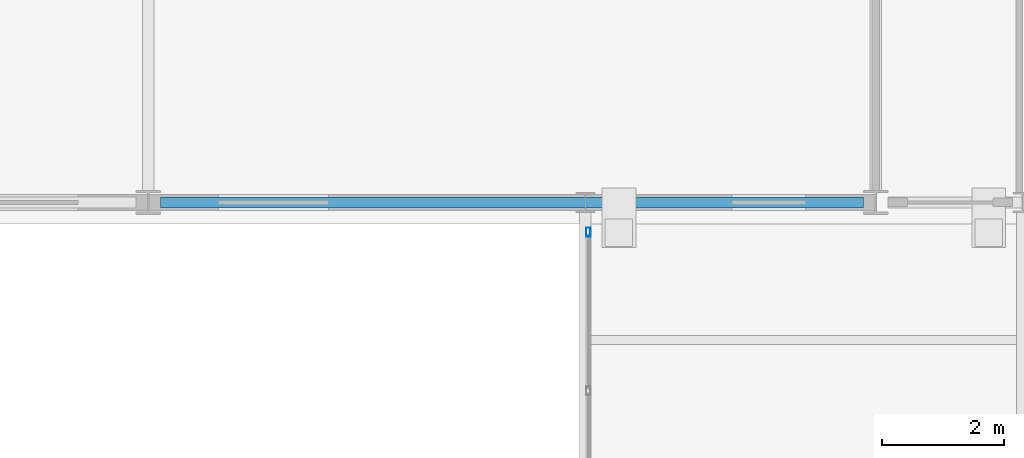
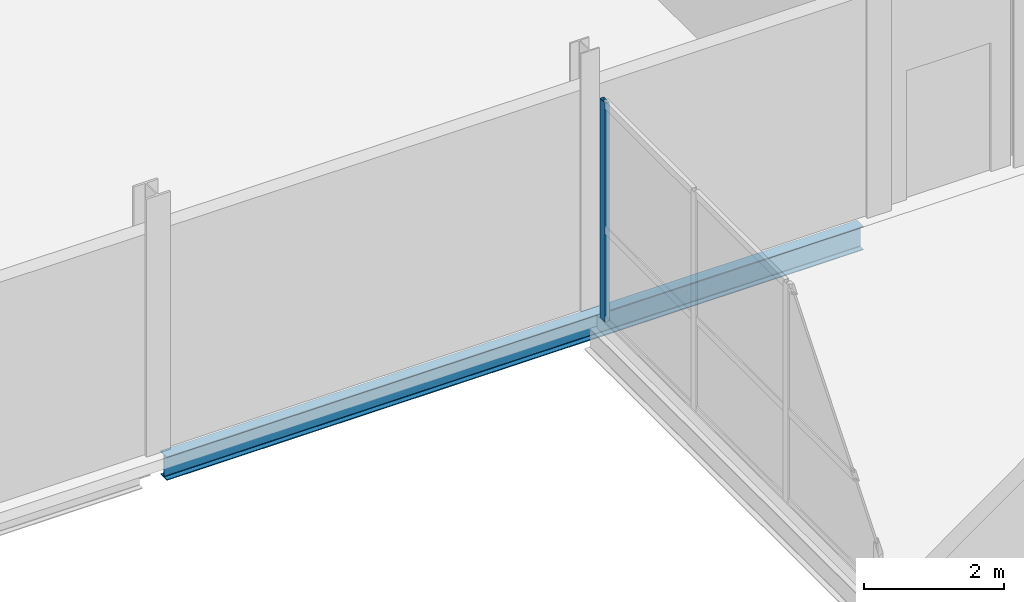
# One storey, part 23 of 77: 1 beam, 1 member, 1 element without a shape of its own.
"""IFC4 building model written with IfcOpenShell, lengths in metres."""

from ifc_helpers import new_model, si_unit, direction, frame, origin, origin_2d, place, context, subcontext, project, spatial, hollow_rectangle, i_section, extrude, material, layer, layer_set, material_profile, profile_set, type_object, element, aggregate, save


model = new_model("IFC4")

# Units and contexts
model_context = context("Model", 3, precision=1e-05, world=origin(), true_north=direction((0.0, 1.0)))
body_context = subcontext(model_context, "Body", "Model", "MODEL_VIEW")
ifc_project = project(units=[si_unit("LENGTHUNIT", "METRE"), si_unit("AREAUNIT", "SQUARE_METRE"), si_unit("VOLUMEUNIT", "CUBIC_METRE"), si_unit("PLANEANGLEUNIT", "RADIAN"), si_unit("MASSUNIT", "GRAM", prefix="KILO")], contexts=[model_context])

# Site, building, storey
site_placement = place(None, origin())
site = spatial("IfcSite", under=ifc_project, at=site_placement, CompositionType="ELEMENT")
building_placement = place(site_placement, origin())
building = spatial("IfcBuilding", under=site, at=building_placement, Name="Quillay Park Conservatory", CompositionType="ELEMENT")
storey_placement = place(building_placement, frame((0.0, 0.0, 5.39990234375)))
storey = spatial("IfcBuildingStorey", under=building, at=storey_placement, Name="L01", CompositionType="ELEMENT", Elevation=5.39990234375)

# Curtain wall, member
ifc_material_1 = material(Name="Thermally Broken Anodised Aluminium 6063-T6", Category="aluminium")
ifc_layer = layer(ifc_material_1, 0.155029296875)
ifc_layer_set = layer_set([ifc_layer], Name="UNITISED CURTAIN WALL BRIDGE (Thermally Broken Anodised Aluminium 6063-T6)")
curtain_wall_type = type_object("IfcCurtainWallType", Name="UNITISED CURTAIN WALL BRIDGE", PredefinedType="USERDEFINED", material=ifc_layer_set)
curtain_wall_placement = place(storey_placement, origin())
curtain_wall = element("IfcCurtainWall", 1, at=curtain_wall_placement, inside=storey, type_object=curtain_wall_type, Name="L01 Unitised Curtain Wall 215", ObjectType="UNITISED CURTAIN WALL", PredefinedType="USERDEFINED")
ifc_material_2 = material(Name="Thermally Broken Anodised Aluminium 6063-T6", Category="aluminium")
ifc_material_profile_1 = material_profile(ifc_material_2, hollow_rectangle(XDim=0.070068359375, YDim=0.14990234375, WallThickness=0.00341796875, at=origin_2d()), Name="AL70x150x3.5")
ifc_profile_set_1 = profile_set([ifc_material_profile_1], Name="Thermally Broken Anodised Aluminium 6063-T6")
member_type = type_object("IfcMemberType", Name="CURTAIN WALL MULLION 70 X150", PredefinedType="MULLION", material=ifc_profile_set_1)
member_placement = place(storey_placement, frame((15.050048828125, 62.56494140625, 0.0), z_axis=(0.0, 0.0, 1.0), x_axis=(-1.0, 0.0, 0.0)))
member = element("IfcMember", 2, at=member_placement, type_object=member_type, Name="CW-B1 mullion 4", PredefinedType="MULLION", context=body_context, shape_type="SweptSolid", body=[
    extrude(hollow_rectangle(XDim=0.070068359375, YDim=0.14990234375, WallThickness=0.00341796875, at=origin_2d()), origin(), (0.0, 0.0, 1.0), 3.819091796875),
])
aggregate(curtain_wall, [member])

# Beam
ifc_material_3 = material(Name="Steel ASTM A992 Grade 50", Category="steel")
ifc_material_profile_2 = material_profile(ifc_material_3, i_section(OverallWidth=0.179931640625, OverallDepth=0.4130859375, WebThickness=0.009765625, FlangeThickness=0.01611328125, FilletRadius=0.011962890625, at=origin_2d()), Name="W410x74")
ifc_profile_set_2 = profile_set([ifc_material_profile_2], Name="Steel ASTM A992 Grade 50")
beam_type = type_object("IfcBeamType", Name="PERIMETER SPANDREL BEAM W410 X74", PredefinedType="SPANDREL", material=ifc_profile_set_2)
beam_placement = place(storey_placement, frame((8.049560546875, 63.050048828125, -0.406494140625), z_axis=(1.0, 0.0, 0.0), x_axis=(0.0, 1.0, 0.0)))
element("IfcBeam", 3, at=beam_placement, inside=storey, type_object=beam_type, Name="L01 beam BM-SP-0109", PredefinedType="SPANDREL", context=body_context, shape_type="SweptSolid", body=[
    extrude(i_section(OverallWidth=0.179931640625, OverallDepth=0.4130859375, WebThickness=0.009765625, FlangeThickness=0.01611328125, FilletRadius=0.011962890625, at=origin_2d()), origin(), (0.0, 0.0, 1.0), 11.5009765625),
])

save(model, "model.ifc")
